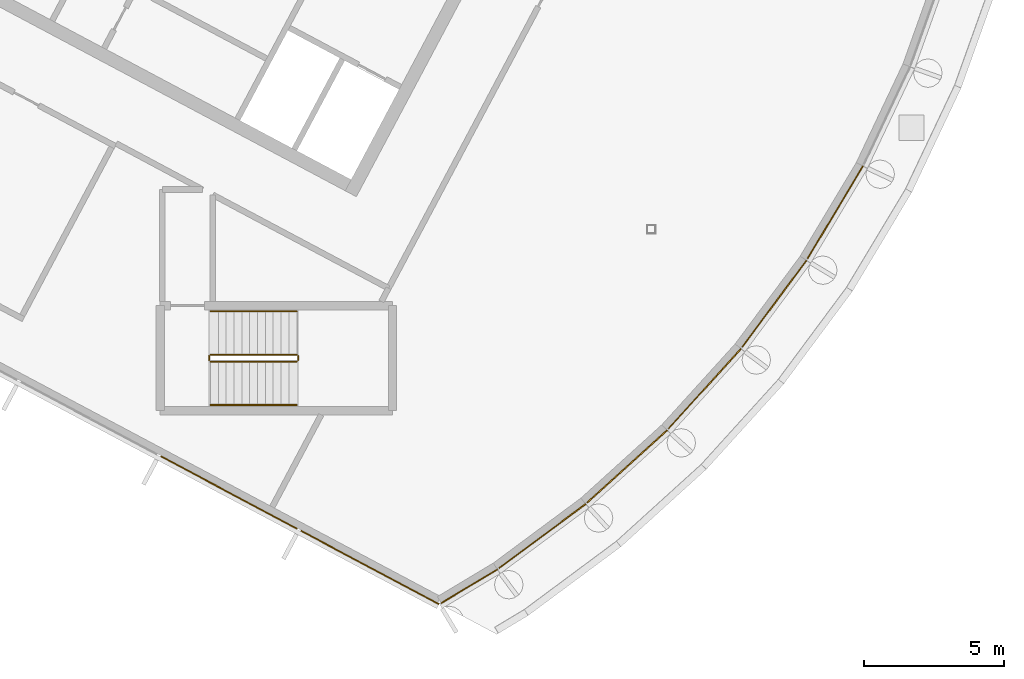
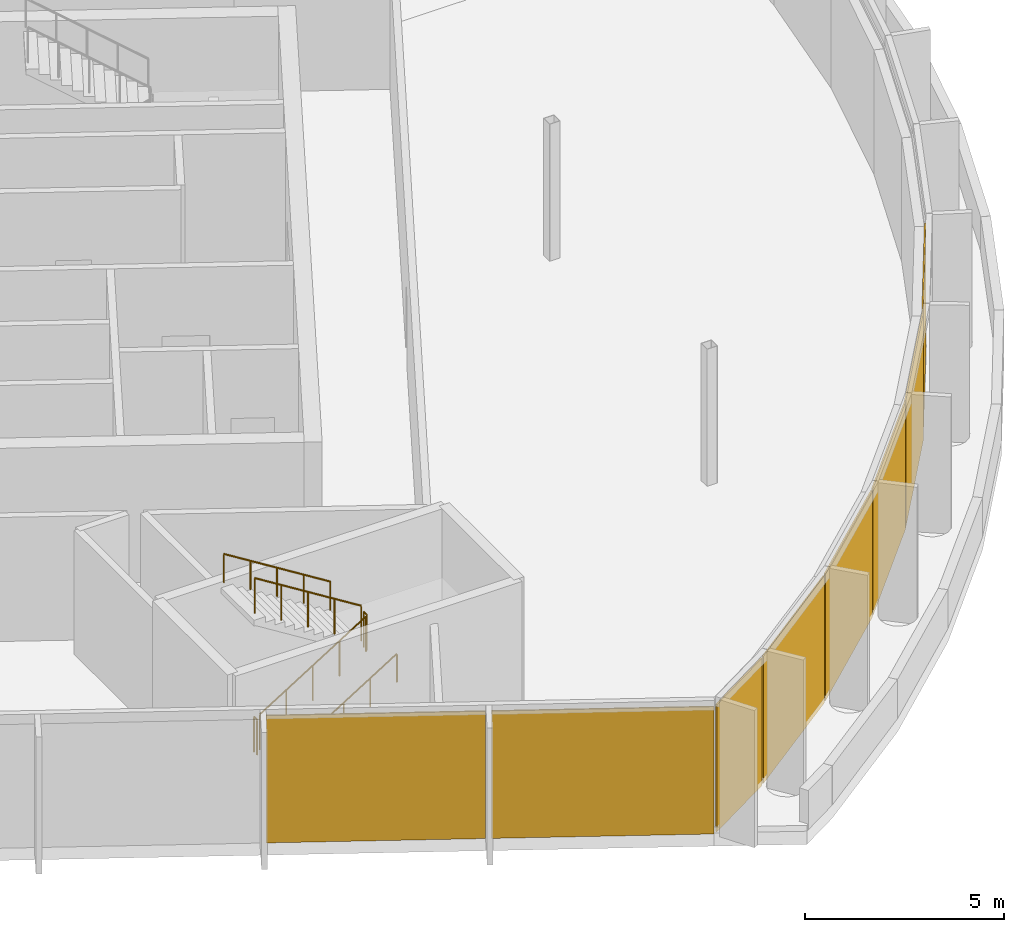
# One storey, part 12 of 16: 8 coverings, 6 railings, 7 elements without a shape of their own.
"""IFC4 building model written with IfcOpenShell, lengths in metres."""

from ifc_helpers import new_model, si_unit, direction, frame, origin, origin_2d, place, context, subcontext, project, spatial, polyline, rectangle, outline, extrude, material, layer, layer_set, type_object, element, aggregate, save


model = new_model("IFC4")

# Units and contexts
model_context = context("Model", 3, precision=1e-05, world=origin(), true_north=direction((0.0, 1.0)))
body_context = subcontext(model_context, "Body", "Model", "MODEL_VIEW")
ifc_project = project(units=[si_unit("LENGTHUNIT", "METRE"), si_unit("AREAUNIT", "SQUARE_METRE"), si_unit("VOLUMEUNIT", "CUBIC_METRE"), si_unit("PLANEANGLEUNIT", "RADIAN"), si_unit("MASSUNIT", "GRAM", prefix="KILO")], contexts=[model_context])

# Site, building, storey
site_placement = place(None, origin())
site = spatial("IfcSite", under=ifc_project, at=site_placement, CompositionType="ELEMENT")
building_placement = place(site_placement, origin())
building = spatial("IfcBuilding", under=site, at=building_placement, Name="Cormorant Relay Tower", CompositionType="ELEMENT")
storey_placement = place(building_placement, frame((0.0, 0.0, 340.800048828125)))
storey = spatial("IfcBuildingStorey", under=building, at=storey_placement, Name="C4", CompositionType="ELEMENT", Elevation=340.800048828125)

# Curtain wall, coverings
ifc_material_1 = material(Name="Aluminium 6063-T6 anodised bronze", Category="aluminium")
ifc_layer_1 = layer(ifc_material_1, 0.199951171875)
ifc_layer_set_1 = layer_set([ifc_layer_1], Name="CW3 crown screen wall")
curtain_wall_type = type_object("IfcCurtainWallType", Name="CW3 crown screen wall", PredefinedType="NOTDEFINED", material=ifc_layer_set_1)
curtain_wall_1_placement = place(storey_placement, origin())
curtain_wall_1 = element("IfcCurtainWall", 1, at=curtain_wall_1_placement, inside=storey, type_object=curtain_wall_type, Name="CW3 curtain wall 1", PredefinedType="NOTDEFINED")
ifc_material_2 = material(Name="Perforated bronze anodised aluminium screen", Category="aluminium")
ifc_layer_2 = layer(ifc_material_2, 0.0400390625)
ifc_layer_set_2 = layer_set([ifc_layer_2], Name="CW3 perforated bronze screen panel 40")
covering_type = type_object("IfcCoveringType", Name="CW3 perforated bronze screen panel 40", PredefinedType="CLADDING", material=ifc_layer_set_2)
covering_1_placement = place(storey_placement, frame((-27.092041015625, -9.401611328125, 0.0), z_axis=(0.0, 0.0, 1.0), x_axis=(0.882947592859, -0.469471562786, 0.0)))
covering_1 = element("IfcCovering", 2, at=covering_1_placement, type_object=covering_type, Name="CW3 panel X04", PredefinedType="CLADDING", context=body_context, shape_type="SweptSolid", body=[
    extrude(rectangle(XDim=5.51513671875, YDim=0.0400390625, at=origin_2d()), origin(), (0.0, 0.0, 1.0), 3.89990234375),
])
covering_2_placement = place(storey_placement, frame((-22.056884765625, -12.07861328125, 0.0), z_axis=(0.0, 0.0, 1.0), x_axis=(0.882947592859, -0.469471562786, 0.0)))
covering_2 = element("IfcCovering", 3, at=covering_2_placement, type_object=covering_type, Name="CW3 panel X05", PredefinedType="CLADDING", context=body_context, shape_type="SweptSolid", body=[
    extrude(rectangle(XDim=5.590087890625, YDim=0.0400390625, at=origin_2d()), origin(), (0.0, 0.0, 1.0), 3.89990234375),
])
aggregate(curtain_wall_1, [covering_1, covering_2])

# Curtain wall, covering
curtain_wall_2_placement = place(storey_placement, origin())
curtain_wall_2 = element("IfcCurtainWall", 4, at=curtain_wall_2_placement, inside=storey, type_object=curtain_wall_type, Name="CW3 curtain wall 2", PredefinedType="NOTDEFINED")
covering_3_placement = place(storey_placement, frame((-18.502197265625, -12.750732421875, 0.0), z_axis=(0.0, 0.0, 1.0), x_axis=(0.85772861, 0.514102744193, 0.0)))
covering_3 = element("IfcCovering", 5, at=covering_3_placement, type_object=covering_type, Name="CW3 panel X00", PredefinedType="CLADDING", context=body_context, shape_type="SweptSolid", body=[
    extrude(rectangle(XDim=2.33837890625, YDim=0.0400390625, at=origin_2d()), origin(), (0.0, 0.0, 1.0), 3.89990234375),
])
aggregate(curtain_wall_2, [covering_3])

curtain_wall_3_placement = place(storey_placement, origin())
curtain_wall_3 = element("IfcCurtainWall", 6, at=curtain_wall_3_placement, inside=storey, type_object=curtain_wall_type, Name="CW3 curtain wall 3", PredefinedType="NOTDEFINED")
covering_4_placement = place(storey_placement, frame((-15.891357421875, -10.95703125, 0.0), z_axis=(0.0, 0.0, 1.0), x_axis=(0.803207531481, 0.595699304492, 0.0)))
covering_4 = element("IfcCovering", 7, at=covering_4_placement, type_object=covering_type, Name="CW3 panel X00", PredefinedType="CLADDING", context=body_context, shape_type="SweptSolid", body=[
    extrude(rectangle(XDim=3.850341796875, YDim=0.0400390625, at=origin_2d()), origin(), (0.0, 0.0, 1.0), 3.89990234375),
])
aggregate(curtain_wall_3, [covering_4])

curtain_wall_4_placement = place(storey_placement, origin())
curtain_wall_4 = element("IfcCurtainWall", 8, at=curtain_wall_4_placement, inside=storey, type_object=curtain_wall_type, Name="CW3 curtain wall 4", PredefinedType="NOTDEFINED")
covering_5_placement = place(storey_placement, frame((-12.861328125, -8.4658203125, 0.0), z_axis=(0.0, 0.0, 1.0), x_axis=(0.740951125355, 0.671558954847, 0.0)))
covering_5 = element("IfcCovering", 9, at=covering_5_placement, type_object=covering_type, Name="CW3 panel X00", PredefinedType="CLADDING", context=body_context, shape_type="SweptSolid", body=[
    extrude(rectangle(XDim=3.850341796875, YDim=0.0400390625, at=origin_2d()), origin(), (0.0, 0.0, 1.0), 3.89990234375),
])
aggregate(curtain_wall_4, [covering_5])

curtain_wall_5_placement = place(storey_placement, origin())
curtain_wall_5 = element("IfcCurtainWall", 10, at=curtain_wall_5_placement, inside=storey, type_object=curtain_wall_type, Name="CW3 curtain wall 5", PredefinedType="NOTDEFINED")
covering_6_placement = place(storey_placement, frame((-10.09033203125, -5.689453125, 0.0), z_axis=(0.0, 0.0, 1.0), x_axis=(0.671558954847, 0.740951125355, 0.0)))
covering_6 = element("IfcCovering", 11, at=covering_6_placement, type_object=covering_type, Name="CW3 panel X00", PredefinedType="CLADDING", context=body_context, shape_type="SweptSolid", body=[
    extrude(rectangle(XDim=3.850341796875, YDim=0.0400390625, at=origin_2d()), origin(), (0.0, 0.0, 1.0), 3.89990234375),
])
aggregate(curtain_wall_5, [covering_6])

curtain_wall_6_placement = place(storey_placement, origin())
curtain_wall_6 = element("IfcCurtainWall", 12, at=curtain_wall_6_placement, inside=storey, type_object=curtain_wall_type, Name="CW3 curtain wall 6", PredefinedType="NOTDEFINED")
covering_7_placement = place(storey_placement, frame((-7.6044921875, -2.65478515625, 0.0), z_axis=(0.0, 0.0, 1.0), x_axis=(0.595699304492, 0.803207531481, 0.0)))
covering_7 = element("IfcCovering", 13, at=covering_7_placement, type_object=covering_type, Name="CW3 panel X00", PredefinedType="CLADDING", context=body_context, shape_type="SweptSolid", body=[
    extrude(rectangle(XDim=3.850341796875, YDim=0.0400390625, at=origin_2d()), origin(), (0.0, 0.0, 1.0), 3.89990234375),
])
aggregate(curtain_wall_6, [covering_7])

curtain_wall_7_placement = place(storey_placement, origin())
curtain_wall_7 = element("IfcCurtainWall", 14, at=curtain_wall_7_placement, inside=storey, type_object=curtain_wall_type, Name="CW3 curtain wall 7", PredefinedType="NOTDEFINED")
covering_8_placement = place(storey_placement, frame((-5.428466796875, 0.60888671875, 0.0), z_axis=(0.0, 0.0, 1.0), x_axis=(0.514102744193, 0.85772861, 0.0)))
covering_8 = element("IfcCovering", 15, at=covering_8_placement, type_object=covering_type, Name="CW3 panel X00", PredefinedType="CLADDING", context=body_context, shape_type="SweptSolid", body=[
    extrude(rectangle(XDim=3.850341796875, YDim=0.0400390625, at=origin_2d()), origin(), (0.0, 0.0, 1.0), 3.89990234375),
])
aggregate(curtain_wall_7, [covering_8])

# Railings
ifc_material_3 = material(Name="Steel ASTM A572 Grade 50 (Fy 345 MPa)", Category="steel")
railing_type_1 = type_object("IfcRailingType", Name="Stair guard 1100", PredefinedType="GUARDRAIL", material=ifc_material_3)
railing_1_placement = place(storey_placement, frame((-27.75, -4.72509765625, 0.175048828125)))
element("IfcRailing", 16, at=railing_1_placement, inside=storey, type_object=railing_type_1, Name="C4 RC1 stair guard 1", PredefinedType="GUARDRAIL", context=body_context, shape_type="SweptSolid", body=[
    extrude(outline(polyline([(0.022216796875, 0.00927734375), (0.00927734375, 0.022216796875), (-0.00927734375, 0.022216796875), (-0.022216796875, 0.00927734375), (-0.022216796875, -0.00927734375), (-0.00927734375, -0.022216796875), (0.00927734375, -0.022216796875), (0.022216796875, -0.00927734375), (0.022216796875, 0.00927734375)])), frame((0.0, 0.0, 1.076171875), z_axis=(0.848028513186, 0.0, 0.529950602248), x_axis=(0.0, 1.0, 0.0)), (0.0, 0.0, 1.0), 3.632080078125),
    extrude(outline(polyline([(0.019287109375, 0.008056640625), (0.008056640625, 0.019287109375), (-0.008056640625, 0.019287109375), (-0.019287109375, 0.008056640625), (-0.019287109375, -0.008056640625), (-0.008056640625, -0.019287109375), (0.008056640625, -0.019287109375), (0.019287109375, -0.008056640625), (0.019287109375, 0.008056640625)])), origin(), (0.0, 0.0, 1.0), 1.052001953125),
    extrude(outline(polyline([(0.019287109375, 0.008056640625), (0.008056640625, 0.019287109375), (-0.008056640625, 0.019287109375), (-0.019287109375, 0.008056640625), (-0.019287109375, -0.008056640625), (-0.008056640625, -0.019287109375), (0.008056640625, -0.019287109375), (0.019287109375, -0.008056640625), (0.019287109375, 0.008056640625)])), frame((0.77001953125, 0.0, 0.481201171875)), (0.0, 0.0, 1.0), 1.052001953125),
    extrude(outline(polyline([(0.019287109375, 0.008056640625), (0.008056640625, 0.019287109375), (-0.008056640625, 0.019287109375), (-0.019287109375, 0.008056640625), (-0.019287109375, -0.008056640625), (-0.008056640625, -0.019287109375), (0.008056640625, -0.019287109375), (0.019287109375, -0.008056640625), (0.019287109375, 0.008056640625)])), frame((1.5400390625, 0.0, 0.96240234375)), (0.0, 0.0, 1.0), 1.052001953125),
    extrude(outline(polyline([(0.019287109375, 0.008056640625), (0.008056640625, 0.019287109375), (-0.008056640625, 0.019287109375), (-0.019287109375, 0.008056640625), (-0.019287109375, -0.008056640625), (-0.008056640625, -0.019287109375), (0.008056640625, -0.019287109375), (0.019287109375, -0.008056640625), (0.019287109375, 0.008056640625)])), frame((2.31005859375, 0.0, 1.443603515625)), (0.0, 0.0, 1.0), 1.052001953125),
    extrude(outline(polyline([(0.019287109375, 0.008056640625), (0.008056640625, 0.019287109375), (-0.008056640625, 0.019287109375), (-0.019287109375, 0.008056640625), (-0.019287109375, -0.008056640625), (-0.008056640625, -0.019287109375), (0.008056640625, -0.019287109375), (0.019287109375, -0.008056640625), (0.019287109375, 0.008056640625)])), frame((3.080078125, 0.0, 1.9248046875)), (0.0, 0.0, 1.0), 1.052001953125),
])
railing_2_placement = place(storey_placement, frame((-24.6201171875, -4.675048828125, 2.099853515625)))
element("IfcRailing", 17, at=railing_2_placement, inside=storey, type_object=railing_type_1, Name="C4 RC1 stair guard 2", PredefinedType="GUARDRAIL", context=body_context, shape_type="SweptSolid", body=[
    extrude(outline(polyline([(0.022216796875, 0.00927734375), (0.00927734375, 0.022216796875), (-0.00927734375, 0.022216796875), (-0.022216796875, 0.00927734375), (-0.022216796875, -0.00927734375), (-0.00927734375, -0.022216796875), (0.00927734375, -0.022216796875), (0.022216796875, -0.00927734375), (0.022216796875, 0.00927734375)])), frame((0.0, 0.0, 1.076171875), z_axis=(0.0, 1.0, 0.0), x_axis=(-1.0, 0.0, 0.0)), (0.0, 0.0, 1.0), 0.150146484375),
    extrude(outline(polyline([(0.019287109375, 0.008056640625), (0.008056640625, 0.019287109375), (-0.008056640625, 0.019287109375), (-0.019287109375, 0.008056640625), (-0.019287109375, -0.008056640625), (-0.008056640625, -0.019287109375), (0.008056640625, -0.019287109375), (0.019287109375, -0.008056640625), (0.019287109375, 0.008056640625)])), origin(), (0.0, 0.0, 1.0), 1.052001953125),
    extrude(outline(polyline([(0.019287109375, 0.008056640625), (0.008056640625, 0.019287109375), (-0.008056640625, 0.019287109375), (-0.019287109375, 0.008056640625), (-0.019287109375, -0.008056640625), (-0.008056640625, -0.019287109375), (0.008056640625, -0.019287109375), (0.019287109375, -0.008056640625), (0.019287109375, 0.008056640625)])), frame((0.0, 0.150146484375, 0.0)), (0.0, 0.0, 1.0), 1.052001953125),
])
railing_3_placement = place(storey_placement, frame((-24.669921875, -4.47509765625, 2.27490234375)))
element("IfcRailing", 18, at=railing_3_placement, inside=storey, type_object=railing_type_1, Name="C4 RC1 stair guard 3", PredefinedType="GUARDRAIL", context=body_context, shape_type="SweptSolid", body=[
    extrude(outline(polyline([(0.022216796875, 0.00927734375), (0.00927734375, 0.022216796875), (-0.00927734375, 0.022216796875), (-0.022216796875, 0.00927734375), (-0.022216796875, -0.00927734375), (-0.00927734375, -0.022216796875), (0.00927734375, -0.022216796875), (0.022216796875, -0.00927734375), (0.022216796875, 0.00927734375)])), frame((0.0, 0.0, 1.076171875), z_axis=(-0.847998304005, 0.0, 0.529998940003), x_axis=(0.0, -1.0, 0.0)), (0.0, 0.0, 1.0), 3.632080078125),
    extrude(outline(polyline([(0.019287109375, 0.008056640625), (0.008056640625, 0.019287109375), (-0.008056640625, 0.019287109375), (-0.019287109375, 0.008056640625), (-0.019287109375, -0.008056640625), (-0.008056640625, -0.019287109375), (0.008056640625, -0.019287109375), (0.019287109375, -0.008056640625), (0.019287109375, 0.008056640625)])), origin(), (0.0, 0.0, 1.0), 1.052001953125),
    extrude(outline(polyline([(0.019287109375, 0.008056640625), (0.008056640625, 0.019287109375), (-0.008056640625, 0.019287109375), (-0.019287109375, 0.008056640625), (-0.019287109375, -0.008056640625), (-0.008056640625, -0.019287109375), (0.008056640625, -0.019287109375), (0.019287109375, -0.008056640625), (0.019287109375, 0.008056640625)])), frame((-0.77001953125, 0.0, 0.481201171875)), (0.0, 0.0, 1.0), 1.052001953125),
    extrude(outline(polyline([(0.019287109375, 0.008056640625), (0.008056640625, 0.019287109375), (-0.008056640625, 0.019287109375), (-0.019287109375, 0.008056640625), (-0.019287109375, -0.008056640625), (-0.008056640625, -0.019287109375), (0.008056640625, -0.019287109375), (0.019287109375, -0.008056640625), (0.019287109375, 0.008056640625)])), frame((-1.5400390625, 0.0, 0.96240234375)), (0.0, 0.0, 1.0), 1.052001953125),
    extrude(outline(polyline([(0.019287109375, 0.008056640625), (0.008056640625, 0.019287109375), (-0.008056640625, 0.019287109375), (-0.019287109375, 0.008056640625), (-0.019287109375, -0.008056640625), (-0.008056640625, -0.019287109375), (0.008056640625, -0.019287109375), (0.019287109375, -0.008056640625), (0.019287109375, 0.008056640625)])), frame((-2.31005859375, 0.0, 1.44384765625)), (0.0, 0.0, 1.0), 1.052001953125),
    extrude(outline(polyline([(0.019287109375, 0.008056640625), (0.008056640625, 0.019287109375), (-0.008056640625, 0.019287109375), (-0.019287109375, 0.008056640625), (-0.019287109375, -0.008056640625), (-0.008056640625, -0.019287109375), (0.008056640625, -0.019287109375), (0.019287109375, -0.008056640625), (0.019287109375, 0.008056640625)])), frame((-3.080078125, 0.0, 1.925048828125)), (0.0, 0.0, 1.0), 1.052001953125),
])
railing_4_placement = place(storey_placement, frame((-27.800048828125, -4.675048828125, 0.0)))
element("IfcRailing", 19, at=railing_4_placement, inside=storey, type_object=railing_type_1, Name="C4 RC1 stair guard 4", PredefinedType="GUARDRAIL", context=body_context, shape_type="SweptSolid", body=[
    extrude(outline(polyline([(0.022216796875, 0.00927734375), (0.00927734375, 0.022216796875), (-0.00927734375, 0.022216796875), (-0.022216796875, 0.00927734375), (-0.022216796875, -0.00927734375), (-0.00927734375, -0.022216796875), (0.00927734375, -0.022216796875), (0.022216796875, -0.00927734375), (0.022216796875, 0.00927734375)])), frame((0.0, 0.0, 1.076171875), z_axis=(0.0, 1.0, 0.0), x_axis=(-1.0, 0.0, 0.0)), (0.0, 0.0, 1.0), 0.150146484375),
    extrude(outline(polyline([(0.019287109375, 0.008056640625), (0.008056640625, 0.019287109375), (-0.008056640625, 0.019287109375), (-0.019287109375, 0.008056640625), (-0.019287109375, -0.008056640625), (-0.008056640625, -0.019287109375), (0.008056640625, -0.019287109375), (0.019287109375, -0.008056640625), (0.019287109375, 0.008056640625)])), origin(), (0.0, 0.0, 1.0), 1.052001953125),
    extrude(outline(polyline([(0.019287109375, 0.008056640625), (0.008056640625, 0.019287109375), (-0.008056640625, 0.019287109375), (-0.019287109375, 0.008056640625), (-0.019287109375, -0.008056640625), (-0.008056640625, -0.019287109375), (0.008056640625, -0.019287109375), (0.019287109375, -0.008056640625), (0.019287109375, 0.008056640625)])), frame((0.0, 0.150146484375, 0.0)), (0.0, 0.0, 1.0), 1.052001953125),
])
ifc_material_4 = material(Name="Steel ASTM A572 Grade 50 (Fy 345 MPa)", Category="steel")
railing_type_2 = type_object("IfcRailingType", Name="Stair handrail 900", PredefinedType="HANDRAIL", material=ifc_material_4)
railing_5_placement = place(storey_placement, frame((-27.75, -6.27490234375, 0.175048828125)))
element("IfcRailing", 20, at=railing_5_placement, inside=storey, type_object=railing_type_2, Name="C4 RC1 stair handrail 1", PredefinedType="HANDRAIL", context=body_context, shape_type="SweptSolid", body=[
    extrude(outline(polyline([(0.022216796875, 0.00927734375), (0.00927734375, 0.022216796875), (-0.00927734375, 0.022216796875), (-0.022216796875, 0.00927734375), (-0.022216796875, -0.00927734375), (-0.00927734375, -0.022216796875), (0.00927734375, -0.022216796875), (0.022216796875, -0.00927734375), (0.022216796875, 0.00927734375)])), frame((0.0, 0.0, 0.8759765625), z_axis=(0.848028513186, 0.0, 0.529950602248), x_axis=(0.0, 1.0, 0.0)), (0.0, 0.0, 1.0), 3.632080078125),
    extrude(outline(polyline([(0.019287109375, 0.008056640625), (0.008056640625, 0.019287109375), (-0.008056640625, 0.019287109375), (-0.019287109375, 0.008056640625), (-0.019287109375, -0.008056640625), (-0.008056640625, -0.019287109375), (0.008056640625, -0.019287109375), (0.019287109375, -0.008056640625), (0.019287109375, 0.008056640625)])), origin(), (0.0, 0.0, 1.0), 0.851806640625),
    extrude(outline(polyline([(0.019287109375, 0.008056640625), (0.008056640625, 0.019287109375), (-0.008056640625, 0.019287109375), (-0.019287109375, 0.008056640625), (-0.019287109375, -0.008056640625), (-0.008056640625, -0.019287109375), (0.008056640625, -0.019287109375), (0.019287109375, -0.008056640625), (0.019287109375, 0.008056640625)])), frame((0.77001953125, 0.0, 0.481201171875)), (0.0, 0.0, 1.0), 0.851806640625),
    extrude(outline(polyline([(0.019287109375, 0.008056640625), (0.008056640625, 0.019287109375), (-0.008056640625, 0.019287109375), (-0.019287109375, 0.008056640625), (-0.019287109375, -0.008056640625), (-0.008056640625, -0.019287109375), (0.008056640625, -0.019287109375), (0.019287109375, -0.008056640625), (0.019287109375, 0.008056640625)])), frame((1.5400390625, 0.0, 0.96240234375)), (0.0, 0.0, 1.0), 0.851806640625),
    extrude(outline(polyline([(0.019287109375, 0.008056640625), (0.008056640625, 0.019287109375), (-0.008056640625, 0.019287109375), (-0.019287109375, 0.008056640625), (-0.019287109375, -0.008056640625), (-0.008056640625, -0.019287109375), (0.008056640625, -0.019287109375), (0.019287109375, -0.008056640625), (0.019287109375, 0.008056640625)])), frame((2.31005859375, 0.0, 1.443603515625)), (0.0, 0.0, 1.0), 0.851806640625),
    extrude(outline(polyline([(0.019287109375, 0.008056640625), (0.008056640625, 0.019287109375), (-0.008056640625, 0.019287109375), (-0.019287109375, 0.008056640625), (-0.019287109375, -0.008056640625), (-0.008056640625, -0.019287109375), (0.008056640625, -0.019287109375), (0.019287109375, -0.008056640625), (0.019287109375, 0.008056640625)])), frame((3.080078125, 0.0, 1.9248046875)), (0.0, 0.0, 1.0), 0.851806640625),
])
railing_6_placement = place(storey_placement, frame((-24.669921875, -2.925048828125, 2.27490234375)))
element("IfcRailing", 21, at=railing_6_placement, inside=storey, type_object=railing_type_2, Name="C4 RC1 stair handrail 2", PredefinedType="HANDRAIL", context=body_context, shape_type="SweptSolid", body=[
    extrude(outline(polyline([(0.022216796875, 0.00927734375), (0.00927734375, 0.022216796875), (-0.00927734375, 0.022216796875), (-0.022216796875, 0.00927734375), (-0.022216796875, -0.00927734375), (-0.00927734375, -0.022216796875), (0.00927734375, -0.022216796875), (0.022216796875, -0.00927734375), (0.022216796875, 0.00927734375)])), frame((0.0, 0.0, 0.8759765625), z_axis=(-0.847998304005, 0.0, 0.529998940003), x_axis=(0.0, -1.0, 0.0)), (0.0, 0.0, 1.0), 3.632080078125),
    extrude(outline(polyline([(0.019287109375, 0.008056640625), (0.008056640625, 0.019287109375), (-0.008056640625, 0.019287109375), (-0.019287109375, 0.008056640625), (-0.019287109375, -0.008056640625), (-0.008056640625, -0.019287109375), (0.008056640625, -0.019287109375), (0.019287109375, -0.008056640625), (0.019287109375, 0.008056640625)])), origin(), (0.0, 0.0, 1.0), 0.851806640625),
    extrude(outline(polyline([(0.019287109375, 0.008056640625), (0.008056640625, 0.019287109375), (-0.008056640625, 0.019287109375), (-0.019287109375, 0.008056640625), (-0.019287109375, -0.008056640625), (-0.008056640625, -0.019287109375), (0.008056640625, -0.019287109375), (0.019287109375, -0.008056640625), (0.019287109375, 0.008056640625)])), frame((-0.77001953125, 0.0, 0.481201171875)), (0.0, 0.0, 1.0), 0.851806640625),
    extrude(outline(polyline([(0.019287109375, 0.008056640625), (0.008056640625, 0.019287109375), (-0.008056640625, 0.019287109375), (-0.019287109375, 0.008056640625), (-0.019287109375, -0.008056640625), (-0.008056640625, -0.019287109375), (0.008056640625, -0.019287109375), (0.019287109375, -0.008056640625), (0.019287109375, 0.008056640625)])), frame((-1.5400390625, 0.0, 0.96240234375)), (0.0, 0.0, 1.0), 0.851806640625),
    extrude(outline(polyline([(0.019287109375, 0.008056640625), (0.008056640625, 0.019287109375), (-0.008056640625, 0.019287109375), (-0.019287109375, 0.008056640625), (-0.019287109375, -0.008056640625), (-0.008056640625, -0.019287109375), (0.008056640625, -0.019287109375), (0.019287109375, -0.008056640625), (0.019287109375, 0.008056640625)])), frame((-2.31005859375, 0.0, 1.44384765625)), (0.0, 0.0, 1.0), 0.851806640625),
    extrude(outline(polyline([(0.019287109375, 0.008056640625), (0.008056640625, 0.019287109375), (-0.008056640625, 0.019287109375), (-0.019287109375, 0.008056640625), (-0.019287109375, -0.008056640625), (-0.008056640625, -0.019287109375), (0.008056640625, -0.019287109375), (0.019287109375, -0.008056640625), (0.019287109375, 0.008056640625)])), frame((-3.080078125, 0.0, 1.925048828125)), (0.0, 0.0, 1.0), 0.851806640625),
])

save(model, "model.ifc")
